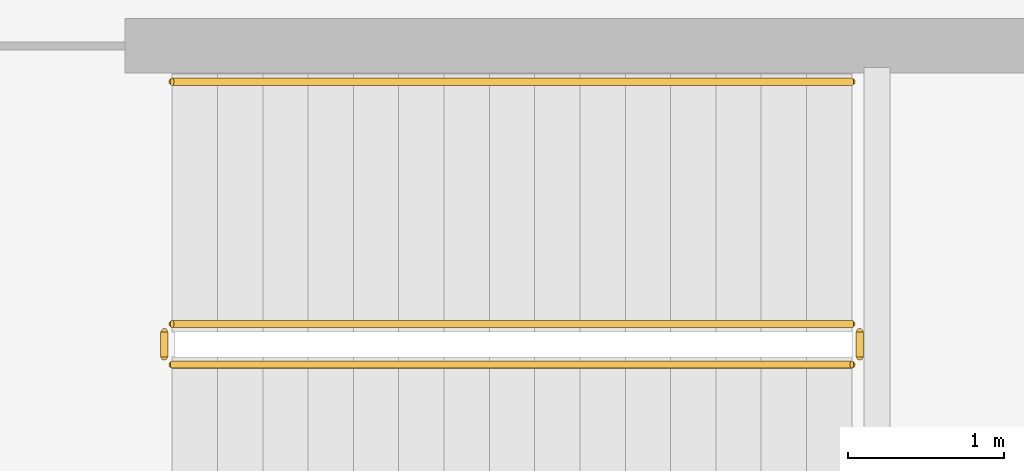
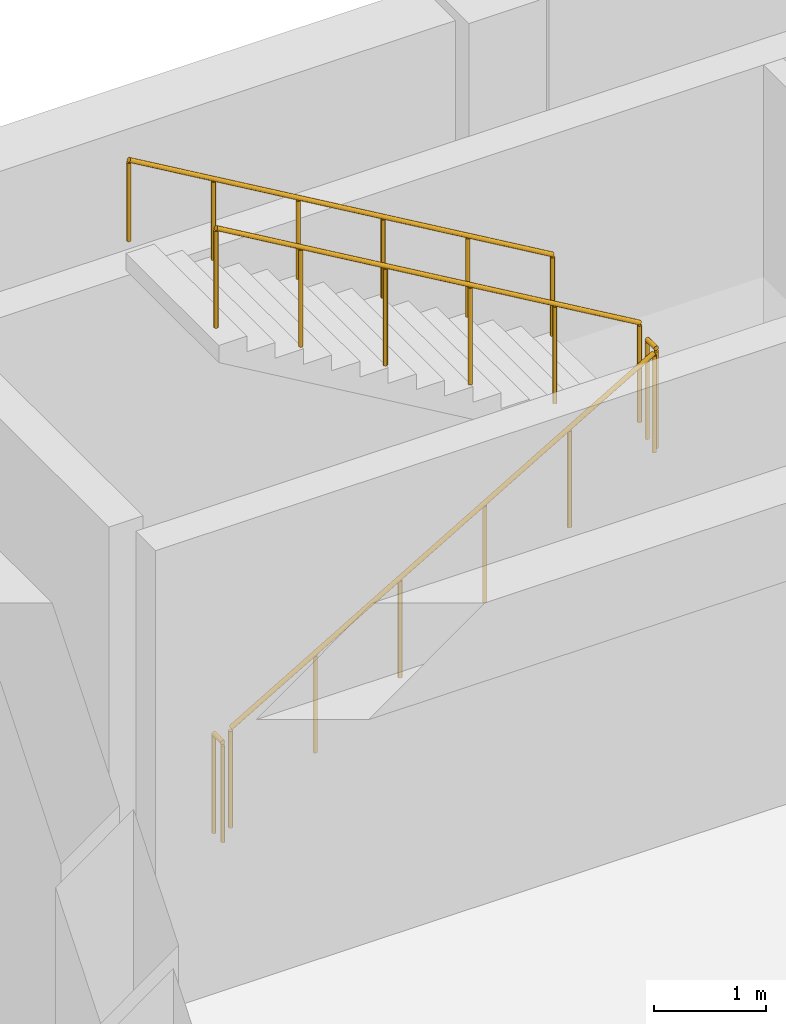
# One storey, part 15 of 16: 5 railings.
"""IFC4 building model written with IfcOpenShell, lengths in metres."""

import ifcopenshell
import ifcopenshell.guid

model = None  # the IFC model being written
_history = None  # IfcOwnerHistory: only IFC2X3 demands one
_inside = {}  # id of a spatial element -> (the spatial element, [elements in it])
_under = {}  # id of a project, library or spatial element -> (it, [spatial elements below it])
_declared = {}  # id of a project -> (the project, [libraries it declares])
_typed = {}  # id of a type object -> (the type object, [elements of that type])
_made_of = {}  # id of a material, layer set ... -> (it, [elements and type objects made of it])


def new_model(schema):
    """Start an empty IFC model of exactly this schema.

    Asked for "IFC4X3", IfcOpenShell would pick the latest addendum, in which some entities
    have other attributes; the version numbers below select the first issue.
    IFC2X3 requires an IfcOwnerHistory on every rooted entity: one is made here for all.
    """
    global model, _history
    if schema == "IFC4X3":
        model = ifcopenshell.file(schema_version=(4, 3, 0, 0))
    else:
        model = ifcopenshell.file(schema=schema)
    _inside.clear()
    _under.clear()
    _declared.clear()
    _typed.clear()
    _made_of.clear()
    _history = None
    if model.schema == "IFC2X3":
        org = make("IfcOrganization", Name="unknown")
        user = make(
            "IfcPersonAndOrganization",
            ThePerson=make("IfcPerson", FamilyName="unknown"),
            TheOrganization=org,
        )
        app = make(
            "IfcApplication",
            ApplicationDeveloper=org,
            Version="unknown",
            ApplicationFullName="unknown",
            ApplicationIdentifier="unknown",
        )
        _history = make(
            "IfcOwnerHistory",
            OwningUser=user,
            OwningApplication=app,
            ChangeAction="ADDED",
            CreationDate=0,
        )
    return model


def make(cls, **values):
    """One entity of the class cls with the attributes given. An attribute that is None is left unset."""
    return model.create_entity(
        cls, **{name: value for name, value in values.items() if value is not None}
    )


def rooted(cls, **values):
    """An entity with a GlobalId (a new one), such as an element, a storey or a relation."""
    return make(cls, GlobalId=ifcopenshell.guid.new(), OwnerHistory=_history, **values)


def si_unit(unit_type, name, prefix=None):
    """IfcSIUnit, for example si_unit("LENGTHUNIT", "METRE", prefix="MILLI")."""
    return make("IfcSIUnit", UnitType=unit_type, Prefix=prefix, Name=name)


def assignment(units):
    """IfcUnitAssignment: the units of a project."""
    return None if units is None else make("IfcUnitAssignment", Units=units)


def point(xyz):
    """IfcCartesianPoint."""
    return None if xyz is None else make("IfcCartesianPoint", Coordinates=xyz)


def direction(xyz):
    """IfcDirection."""
    return None if xyz is None else make("IfcDirection", DirectionRatios=xyz)


def frame(location, z_axis=None, x_axis=None):
    """IfcAxis2Placement3D, a coordinate frame: its origin and axes. An axis left out is left unset."""
    return make(
        "IfcAxis2Placement3D",
        Location=point(location),
        Axis=direction(z_axis),
        RefDirection=direction(x_axis),
    )


def frame_2d(location, x_axis=None):
    """IfcAxis2Placement2D, a coordinate frame in the plane: its origin and x axis."""
    return make(
        "IfcAxis2Placement2D", Location=point(location), RefDirection=direction(x_axis)
    )


def origin():
    """The frame at (0, 0, 0) with its axes left unset."""
    return frame((0.0, 0.0, 0.0))


def origin_2d():
    """The frame at (0, 0) in the plane with its x axis left unset."""
    return frame_2d((0.0, 0.0))


def place(relative_to, where):
    """IfcLocalPlacement: puts the frame where relative to a parent placement (None: the world)."""
    return make(
        "IfcLocalPlacement", PlacementRelTo=relative_to, RelativePlacement=where
    )


def context(
    kind, dimensions, precision=None, world=None, true_north=None, identifier=None
):
    """IfcGeometricRepresentationContext, for example the 3D "Model" context."""
    return make(
        "IfcGeometricRepresentationContext",
        ContextIdentifier=identifier,
        ContextType=kind,
        CoordinateSpaceDimension=dimensions,
        Precision=precision,
        WorldCoordinateSystem=world,
        TrueNorth=true_north,
    )


def subcontext(parent, identifier, kind, view, scale=None):
    """IfcGeometricRepresentationSubContext, for example "Body" below "Model"."""
    return make(
        "IfcGeometricRepresentationSubContext",
        ContextIdentifier=identifier,
        ContextType=kind,
        ParentContext=parent,
        TargetScale=scale,
        TargetView=view,
    )


def project(units=None, contexts=None):
    """IfcProject with its units and contexts."""
    return rooted(
        "IfcProject",
        Name="project",
        RepresentationContexts=contexts,
        UnitsInContext=assignment(units),
    )


def spatial(cls, under=None, at=None, **own):
    """A site, building, storey or space (cls), placed at a placement, below another one or the project."""
    s = rooted(cls, ObjectPlacement=at, **own)
    if under is not None:
        _under.setdefault(under.id(), (under, []))[1].append(s)
    return s


def profile(cls, at=None, kind="AREA", **sizes):
    """A parametric profile (cls). Its sizes go by their IFC names, for example OverallWidth=200.0."""
    return make(cls, ProfileType=kind, Position=at, **sizes)


def circle(**sizes):
    """IfcCircleProfileDef."""
    return profile("IfcCircleProfileDef", **sizes)


def extrude(swept, where, along, depth):
    """IfcExtrudedAreaSolid: the profile swept, set in the frame where, extruded along a direction by depth."""
    return make(
        "IfcExtrudedAreaSolid",
        SweptArea=swept,
        Position=where,
        ExtrudedDirection=direction(along),
        Depth=depth,
    )


def shape(context_of_items, identifier, shape_type, items):
    """IfcShapeRepresentation: the items that make up one representation, for example the "Body"."""
    return make(
        "IfcShapeRepresentation",
        ContextOfItems=context_of_items,
        RepresentationIdentifier=identifier,
        RepresentationType=shape_type,
        Items=items,
    )


def material(Name=None, Category=None):
    """IfcMaterial."""
    return make("IfcMaterial", Name=Name, Category=Category)


def made_of(thing, what):
    """Note that an element or type object is made of a material, layer set ...; save() writes the relation."""
    if what is not None:
        _made_of.setdefault(what.id(), (what, []))[1].append(thing)
    return thing


def type_object(cls, material=None, **own):
    """A type object (cls), such as IfcWallType, which elements share."""
    return made_of(rooted(cls, **own), material)


def element(
    cls,
    number,
    at=None,
    inside=None,
    cuts=None,
    type_object=None,
    material=None,
    context=None,
    identifier="Body",
    shape_type=None,
    held_by="IfcProductDefinitionShape",
    body=None,
    shapes=None,
    **own,
):
    """One element of the class cls, such as IfcWall. Its Tag is "e" and its number.

    at: its placement. inside: the storey or other place that contains it. cuts: it is an
    opening in that element (IfcRelVoidsElement). A single representation is given by context,
    identifier, shape_type and body (its items); several are given by shapes. held_by: the class
    of the entity that holds the representations. save() writes the other relations.
    """
    e = rooted(cls, Tag="e%d" % number, ObjectPlacement=at, **own)
    if body is not None:
        shapes = [shape(context, identifier, shape_type, body)]
    if shapes is not None:
        e.Representation = make(held_by, Representations=shapes)
    if inside is not None:
        _inside.setdefault(inside.id(), (inside, []))[1].append(e)
    if cuts is not None:
        rooted(
            "IfcRelVoidsElement", RelatingBuildingElement=cuts, RelatedOpeningElement=e
        )
    if type_object is not None:
        _typed.setdefault(type_object.id(), (type_object, []))[1].append(e)
    return made_of(e, material)


def aggregate(whole, parts):
    """IfcRelAggregates: a whole, such as a stair, and the parts it consists of."""
    return rooted("IfcRelAggregates", RelatingObject=whole, RelatedObjects=parts)


def save(model, path):
    """Write the relations noted so far, then the file.

    IfcRelAggregates (storeys below a building ...), IfcRelContainedInSpatialStructure (elements
    in a storey), IfcRelDefinesByType, IfcRelAssociatesMaterial and IfcRelDeclares: one each for
    every whole, place, type object, material and project.
    """
    for whole, parts in _under.values():
        aggregate(whole, parts)
    for where, things in _inside.values():
        rooted(
            "IfcRelContainedInSpatialStructure",
            RelatedElements=things,
            RelatingStructure=where,
        )
    for kind, things in _typed.values():
        rooted("IfcRelDefinesByType", RelatedObjects=things, RelatingType=kind)
    for what, things in _made_of.values():
        rooted("IfcRelAssociatesMaterial", RelatedObjects=things, RelatingMaterial=what)
    for by, libraries in _declared.values():
        rooted("IfcRelDeclares", RelatingContext=by, RelatedDefinitions=libraries)
    model.write(path)


model = new_model("IFC4")

# Units and contexts
model_context = context("Model", 3, precision=1e-05, world=origin(), true_north=direction((0.0, 1.0)))
body_context = subcontext(model_context, "Body", "Model", "MODEL_VIEW")
ifc_project = project(units=[si_unit("LENGTHUNIT", "METRE"), si_unit("AREAUNIT", "SQUARE_METRE"), si_unit("VOLUMEUNIT", "CUBIC_METRE"), si_unit("PLANEANGLEUNIT", "RADIAN"), si_unit("MASSUNIT", "GRAM", prefix="KILO")], contexts=[model_context])

# Site, building, storey
site_placement = place(None, origin())
site = spatial("IfcSite", under=ifc_project, at=site_placement, CompositionType="ELEMENT")
building_placement = place(site_placement, origin())
building = spatial("IfcBuilding", under=site, at=building_placement, Name="Kranzveld Transit Interchange", CompositionType="ELEMENT")
storey_placement = place(building_placement, frame((0.0, 0.0, -5.43994140625)))
storey = spatial("IfcBuildingStorey", under=building, at=storey_placement, Name="B1", CompositionType="ELEMENT", Elevation=-5.43994140625)

# Railings
ifc_material_1 = material(Name="Steel S355JR", Category="steel")
railing_type_1 = type_object("IfcRailingType", Name="Stair & Ramp Handrail Steel 900", PredefinedType="HANDRAIL", material=ifc_material_1)
railing_1_placement = place(storey_placement, frame((108.550048828125, 77.679931640625, 2.889892578125)))
element("IfcRailing", 1, at=railing_1_placement, inside=storey, type_object=railing_type_1, Name="B1 ST-V4A stair handrail 2", PredefinedType="HANDRAIL", context=body_context, shape_type="SweptSolid", body=[
    extrude(circle(Radius=0.02392578125, at=origin_2d()), frame((0.0, 0.0, 0.8759765625), z_axis=(-0.862698698498, 0.0, 0.505718257145), x_axis=(0.0, -1.0, 0.0)), (0.0, 0.0, 1.0), 5.04248046875),
    extrude(circle(Radius=0.02099609375, at=origin_2d()), origin(), (0.0, 0.0, 1.0), 0.849853515625),
    extrude(circle(Radius=0.02099609375, at=origin_2d()), frame((-0.8701171875, 0.0, 0.510009765625)), (0.0, 0.0, 1.0), 0.849853515625),
    extrude(circle(Radius=0.02099609375, at=origin_2d()), frame((-1.739990234375, 0.0, 1.02001953125)), (0.0, 0.0, 1.0), 0.849853515625),
    extrude(circle(Radius=0.02099609375, at=origin_2d()), frame((-2.610107421875, 0.0, 1.530029296875)), (0.0, 0.0, 1.0), 0.849853515625),
    extrude(circle(Radius=0.02099609375, at=origin_2d()), frame((-3.47998046875, 0.0, 2.0400390625)), (0.0, 0.0, 1.0), 0.849853515625),
    extrude(circle(Radius=0.02099609375, at=origin_2d()), frame((-4.35009765625, 0.0, 2.550048828125)), (0.0, 0.0, 1.0), 0.849853515625),
])
ifc_material_2 = material(Name="Steel S355JR", Category="steel")
railing_type_2 = type_object("IfcRailingType", Name="Stair Well Guardrail Steel 1100", PredefinedType="GUARDRAIL", material=ifc_material_2)
railing_2_placement = place(storey_placement, frame((104.199951171875, 75.8701171875, 0.169921875)))
element("IfcRailing", 2, at=railing_2_placement, inside=storey, type_object=railing_type_2, Name="B1 ST-V4A stair guard 1", PredefinedType="GUARDRAIL", context=body_context, shape_type="SweptSolid", body=[
    extrude(circle(Radius=0.02392578125, at=origin_2d()), frame((0.0, 0.0, 1.076171875), z_axis=(0.862698698498, 0.0, 0.505718257145), x_axis=(0.0, 1.0, 0.0)), (0.0, 0.0, 1.0), 5.04248046875),
    extrude(circle(Radius=0.02099609375, at=origin_2d()), origin(), (0.0, 0.0, 1.0), 1.050048828125),
    extrude(circle(Radius=0.02099609375, at=origin_2d()), frame((0.8701171875, 0.0, 0.510009765625)), (0.0, 0.0, 1.0), 1.050048828125),
    extrude(circle(Radius=0.02099609375, at=origin_2d()), frame((1.739990234375, 0.0, 1.02001953125)), (0.0, 0.0, 1.0), 1.050048828125),
    extrude(circle(Radius=0.02099609375, at=origin_2d()), frame((2.610107421875, 0.0, 1.530029296875)), (0.0, 0.0, 1.0), 1.050048828125),
    extrude(circle(Radius=0.02099609375, at=origin_2d()), frame((3.47998046875, 0.0, 2.0400390625)), (0.0, 0.0, 1.0), 1.050048828125),
    extrude(circle(Radius=0.02099609375, at=origin_2d()), frame((4.35009765625, 0.0, 2.550048828125)), (0.0, 0.0, 1.0), 1.050048828125),
])
railing_3_placement = place(storey_placement, frame((108.60009765625, 75.919921875, 2.719970703125)))
element("IfcRailing", 3, at=railing_3_placement, inside=storey, type_object=railing_type_2, Name="B1 ST-V4A stair guard 2", PredefinedType="GUARDRAIL", context=body_context, shape_type="SweptSolid", body=[
    extrude(circle(Radius=0.02392578125, at=origin_2d()), frame((0.0, 0.0, 1.076171875), z_axis=(0.0, 1.0, 0.0), x_axis=(-1.0, 0.0, 0.0)), (0.0, 0.0, 1.0), 0.16015625),
    extrude(circle(Radius=0.02099609375, at=origin_2d()), origin(), (0.0, 0.0, 1.0), 1.050048828125),
    extrude(circle(Radius=0.02099609375, at=origin_2d()), frame((0.0, 0.16015625, 0.0)), (0.0, 0.0, 1.0), 1.050048828125),
])
railing_4_placement = place(storey_placement, frame((108.550048828125, 76.1298828125, 2.889892578125)))
element("IfcRailing", 4, at=railing_4_placement, inside=storey, type_object=railing_type_2, Name="B1 ST-V4A stair guard 3", PredefinedType="GUARDRAIL", context=body_context, shape_type="SweptSolid", body=[
    extrude(circle(Radius=0.02392578125, at=origin_2d()), frame((0.0, 0.0, 1.076171875), z_axis=(-0.862698698498, 0.0, 0.505718257145), x_axis=(0.0, -1.0, 0.0)), (0.0, 0.0, 1.0), 5.04248046875),
    extrude(circle(Radius=0.02099609375, at=origin_2d()), origin(), (0.0, 0.0, 1.0), 1.050048828125),
    extrude(circle(Radius=0.02099609375, at=origin_2d()), frame((-0.8701171875, 0.0, 0.510009765625)), (0.0, 0.0, 1.0), 1.050048828125),
    extrude(circle(Radius=0.02099609375, at=origin_2d()), frame((-1.739990234375, 0.0, 1.02001953125)), (0.0, 0.0, 1.0), 1.050048828125),
    extrude(circle(Radius=0.02099609375, at=origin_2d()), frame((-2.610107421875, 0.0, 1.530029296875)), (0.0, 0.0, 1.0), 1.050048828125),
    extrude(circle(Radius=0.02099609375, at=origin_2d()), frame((-3.47998046875, 0.0, 2.0400390625)), (0.0, 0.0, 1.0), 1.050048828125),
    extrude(circle(Radius=0.02099609375, at=origin_2d()), frame((-4.35009765625, 0.0, 2.550048828125)), (0.0, 0.0, 1.0), 1.050048828125),
])
railing_5_placement = place(storey_placement, frame((104.14990234375, 75.919921875, 0.0)))
element("IfcRailing", 5, at=railing_5_placement, inside=storey, type_object=railing_type_2, Name="B1 ST-V4A stair guard 4", PredefinedType="GUARDRAIL", context=body_context, shape_type="SweptSolid", body=[
    extrude(circle(Radius=0.02392578125, at=origin_2d()), frame((0.0, 0.0, 1.076171875), z_axis=(0.0, 1.0, 0.0), x_axis=(-1.0, 0.0, 0.0)), (0.0, 0.0, 1.0), 0.16015625),
    extrude(circle(Radius=0.02099609375, at=origin_2d()), origin(), (0.0, 0.0, 1.0), 1.050048828125),
    extrude(circle(Radius=0.02099609375, at=origin_2d()), frame((0.0, 0.16015625, 0.0)), (0.0, 0.0, 1.0), 1.050048828125),
])

save(model, "model.ifc")
